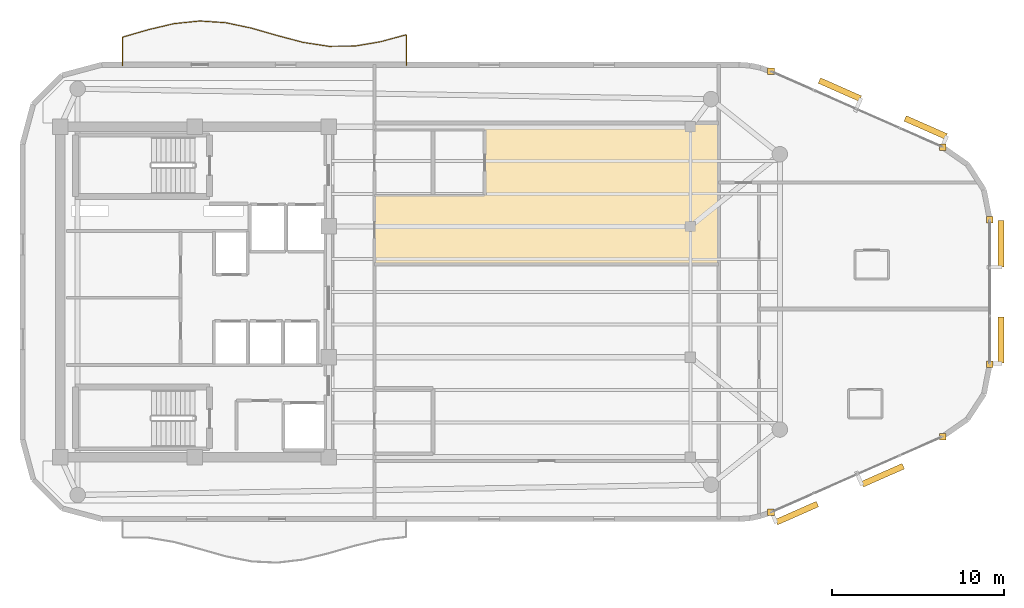
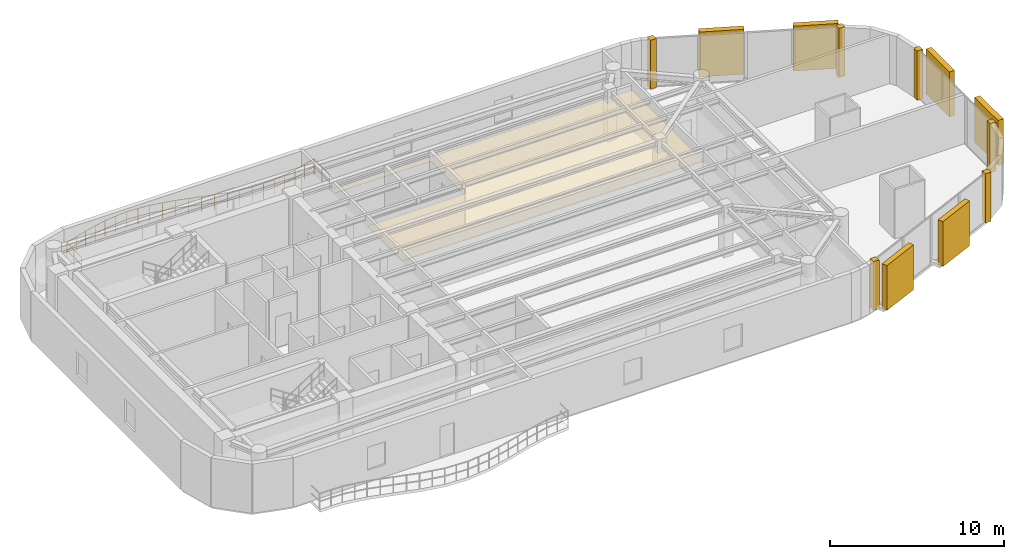
# One storey, part 12 of 12: 7 coverings, 6 shading devices, 1 railing.
"""IFC4 building model written with IfcOpenShell, lengths in metres."""

import ifcopenshell
import ifcopenshell.guid

model = None  # the IFC model being written
_history = None  # IfcOwnerHistory: only IFC2X3 demands one
_inside = {}  # id of a spatial element -> (the spatial element, [elements in it])
_under = {}  # id of a project, library or spatial element -> (it, [spatial elements below it])
_declared = {}  # id of a project -> (the project, [libraries it declares])
_typed = {}  # id of a type object -> (the type object, [elements of that type])
_made_of = {}  # id of a material, layer set ... -> (it, [elements and type objects made of it])


def new_model(schema):
    """Start an empty IFC model of exactly this schema.

    Asked for "IFC4X3", IfcOpenShell would pick the latest addendum, in which some entities
    have other attributes; the version numbers below select the first issue.
    IFC2X3 requires an IfcOwnerHistory on every rooted entity: one is made here for all.
    """
    global model, _history
    if schema == "IFC4X3":
        model = ifcopenshell.file(schema_version=(4, 3, 0, 0))
    else:
        model = ifcopenshell.file(schema=schema)
    _inside.clear()
    _under.clear()
    _declared.clear()
    _typed.clear()
    _made_of.clear()
    _history = None
    if model.schema == "IFC2X3":
        org = make("IfcOrganization", Name="unknown")
        user = make(
            "IfcPersonAndOrganization",
            ThePerson=make("IfcPerson", FamilyName="unknown"),
            TheOrganization=org,
        )
        app = make(
            "IfcApplication",
            ApplicationDeveloper=org,
            Version="unknown",
            ApplicationFullName="unknown",
            ApplicationIdentifier="unknown",
        )
        _history = make(
            "IfcOwnerHistory",
            OwningUser=user,
            OwningApplication=app,
            ChangeAction="ADDED",
            CreationDate=0,
        )
    return model


def make(cls, **values):
    """One entity of the class cls with the attributes given. An attribute that is None is left unset."""
    return model.create_entity(
        cls, **{name: value for name, value in values.items() if value is not None}
    )


def rooted(cls, **values):
    """An entity with a GlobalId (a new one), such as an element, a storey or a relation."""
    return make(cls, GlobalId=ifcopenshell.guid.new(), OwnerHistory=_history, **values)


def si_unit(unit_type, name, prefix=None):
    """IfcSIUnit, for example si_unit("LENGTHUNIT", "METRE", prefix="MILLI")."""
    return make("IfcSIUnit", UnitType=unit_type, Prefix=prefix, Name=name)


def assignment(units):
    """IfcUnitAssignment: the units of a project."""
    return None if units is None else make("IfcUnitAssignment", Units=units)


def point(xyz):
    """IfcCartesianPoint."""
    return None if xyz is None else make("IfcCartesianPoint", Coordinates=xyz)


def direction(xyz):
    """IfcDirection."""
    return None if xyz is None else make("IfcDirection", DirectionRatios=xyz)


def frame(location, z_axis=None, x_axis=None):
    """IfcAxis2Placement3D, a coordinate frame: its origin and axes. An axis left out is left unset."""
    return make(
        "IfcAxis2Placement3D",
        Location=point(location),
        Axis=direction(z_axis),
        RefDirection=direction(x_axis),
    )


def frame_2d(location, x_axis=None):
    """IfcAxis2Placement2D, a coordinate frame in the plane: its origin and x axis."""
    return make(
        "IfcAxis2Placement2D", Location=point(location), RefDirection=direction(x_axis)
    )


def origin():
    """The frame at (0, 0, 0) with its axes left unset."""
    return frame((0.0, 0.0, 0.0))


def origin_2d():
    """The frame at (0, 0) in the plane with its x axis left unset."""
    return frame_2d((0.0, 0.0))


def place(relative_to, where):
    """IfcLocalPlacement: puts the frame where relative to a parent placement (None: the world)."""
    return make(
        "IfcLocalPlacement", PlacementRelTo=relative_to, RelativePlacement=where
    )


def context(
    kind, dimensions, precision=None, world=None, true_north=None, identifier=None
):
    """IfcGeometricRepresentationContext, for example the 3D "Model" context."""
    return make(
        "IfcGeometricRepresentationContext",
        ContextIdentifier=identifier,
        ContextType=kind,
        CoordinateSpaceDimension=dimensions,
        Precision=precision,
        WorldCoordinateSystem=world,
        TrueNorth=true_north,
    )


def subcontext(parent, identifier, kind, view, scale=None):
    """IfcGeometricRepresentationSubContext, for example "Body" below "Model"."""
    return make(
        "IfcGeometricRepresentationSubContext",
        ContextIdentifier=identifier,
        ContextType=kind,
        ParentContext=parent,
        TargetScale=scale,
        TargetView=view,
    )


def project(units=None, contexts=None):
    """IfcProject with its units and contexts."""
    return rooted(
        "IfcProject",
        Name="project",
        RepresentationContexts=contexts,
        UnitsInContext=assignment(units),
    )


def spatial(cls, under=None, at=None, **own):
    """A site, building, storey or space (cls), placed at a placement, below another one or the project."""
    s = rooted(cls, ObjectPlacement=at, **own)
    if under is not None:
        _under.setdefault(under.id(), (under, []))[1].append(s)
    return s


def polyline(points):
    """IfcPolyline through the points."""
    return make("IfcPolyline", Points=[point(p) for p in points])


def profile(cls, at=None, kind="AREA", **sizes):
    """A parametric profile (cls). Its sizes go by their IFC names, for example OverallWidth=200.0."""
    return make(cls, ProfileType=kind, Position=at, **sizes)


def rectangle(**sizes):
    """IfcRectangleProfileDef."""
    return profile("IfcRectangleProfileDef", **sizes)


def circle(**sizes):
    """IfcCircleProfileDef."""
    return profile("IfcCircleProfileDef", **sizes)


def outline(outer, holes=None, kind="AREA"):
    """IfcArbitraryClosedProfileDef: a profile drawn as a closed curve; with holes, ...WithVoids."""
    if holes is None:
        return make("IfcArbitraryClosedProfileDef", ProfileType=kind, OuterCurve=outer)
    return make(
        "IfcArbitraryProfileDefWithVoids",
        ProfileType=kind,
        OuterCurve=outer,
        InnerCurves=holes,
    )


def extrude(swept, where, along, depth):
    """IfcExtrudedAreaSolid: the profile swept, set in the frame where, extruded along a direction by depth."""
    return make(
        "IfcExtrudedAreaSolid",
        SweptArea=swept,
        Position=where,
        ExtrudedDirection=direction(along),
        Depth=depth,
    )


def shape(context_of_items, identifier, shape_type, items):
    """IfcShapeRepresentation: the items that make up one representation, for example the "Body"."""
    return make(
        "IfcShapeRepresentation",
        ContextOfItems=context_of_items,
        RepresentationIdentifier=identifier,
        RepresentationType=shape_type,
        Items=items,
    )


def material(Name=None, Category=None):
    """IfcMaterial."""
    return make("IfcMaterial", Name=Name, Category=Category)


def layer(
    of_material, thickness, ventilated=None, Name=None, Category=None, Priority=None
):
    """IfcMaterialLayer: one layer of a wall or slab, of a material (None: an air gap)."""
    return make(
        "IfcMaterialLayer",
        Material=of_material,
        LayerThickness=thickness,
        IsVentilated=ventilated,
        Name=Name,
        Category=Category,
        Priority=Priority,
    )


def layer_set(layers, Name=None):
    """IfcMaterialLayerSet."""
    return make("IfcMaterialLayerSet", MaterialLayers=layers, LayerSetName=Name)


def made_of(thing, what):
    """Note that an element or type object is made of a material, layer set ...; save() writes the relation."""
    if what is not None:
        _made_of.setdefault(what.id(), (what, []))[1].append(thing)
    return thing


def type_object(cls, material=None, **own):
    """A type object (cls), such as IfcWallType, which elements share."""
    return made_of(rooted(cls, **own), material)


def element(
    cls,
    number,
    at=None,
    inside=None,
    cuts=None,
    type_object=None,
    material=None,
    context=None,
    identifier="Body",
    shape_type=None,
    held_by="IfcProductDefinitionShape",
    body=None,
    shapes=None,
    **own,
):
    """One element of the class cls, such as IfcWall. Its Tag is "e" and its number.

    at: its placement. inside: the storey or other place that contains it. cuts: it is an
    opening in that element (IfcRelVoidsElement). A single representation is given by context,
    identifier, shape_type and body (its items); several are given by shapes. held_by: the class
    of the entity that holds the representations. save() writes the other relations.
    """
    e = rooted(cls, Tag="e%d" % number, ObjectPlacement=at, **own)
    if body is not None:
        shapes = [shape(context, identifier, shape_type, body)]
    if shapes is not None:
        e.Representation = make(held_by, Representations=shapes)
    if inside is not None:
        _inside.setdefault(inside.id(), (inside, []))[1].append(e)
    if cuts is not None:
        rooted(
            "IfcRelVoidsElement", RelatingBuildingElement=cuts, RelatedOpeningElement=e
        )
    if type_object is not None:
        _typed.setdefault(type_object.id(), (type_object, []))[1].append(e)
    return made_of(e, material)


def aggregate(whole, parts):
    """IfcRelAggregates: a whole, such as a stair, and the parts it consists of."""
    return rooted("IfcRelAggregates", RelatingObject=whole, RelatedObjects=parts)


def save(model, path):
    """Write the relations noted so far, then the file.

    IfcRelAggregates (storeys below a building ...), IfcRelContainedInSpatialStructure (elements
    in a storey), IfcRelDefinesByType, IfcRelAssociatesMaterial and IfcRelDeclares: one each for
    every whole, place, type object, material and project.
    """
    for whole, parts in _under.values():
        aggregate(whole, parts)
    for where, things in _inside.values():
        rooted(
            "IfcRelContainedInSpatialStructure",
            RelatedElements=things,
            RelatingStructure=where,
        )
    for kind, things in _typed.values():
        rooted("IfcRelDefinesByType", RelatedObjects=things, RelatingType=kind)
    for what, things in _made_of.values():
        rooted("IfcRelAssociatesMaterial", RelatedObjects=things, RelatingMaterial=what)
    for by, libraries in _declared.values():
        rooted("IfcRelDeclares", RelatingContext=by, RelatedDefinitions=libraries)
    model.write(path)


model = new_model("IFC4")

# Units and contexts
model_context = context("Model", 3, precision=1e-05, world=origin(), true_north=direction((0.0, 1.0)))
body_context = subcontext(model_context, "Body", "Model", "MODEL_VIEW")
ifc_project = project(units=[si_unit("LENGTHUNIT", "METRE"), si_unit("AREAUNIT", "SQUARE_METRE"), si_unit("VOLUMEUNIT", "CUBIC_METRE"), si_unit("PLANEANGLEUNIT", "RADIAN"), si_unit("MASSUNIT", "GRAM", prefix="KILO")], contexts=[model_context])

# Site, building, storey
site_placement = place(None, origin())
site = spatial("IfcSite", under=ifc_project, at=site_placement, CompositionType="ELEMENT")
building_placement = place(site_placement, origin())
building = spatial("IfcBuilding", under=site, at=building_placement, Name="An Khanh Terracotta Commons", CompositionType="ELEMENT")
storey_placement = place(building_placement, frame((0.0, 0.0, 258.800048828125)))
storey = spatial("IfcBuildingStorey", under=building, at=storey_placement, Name="L67", CompositionType="ELEMENT", Elevation=258.800048828125)

# Coverings
ifc_material_1 = material(Name="Perforated Mineral-Fibre Acoustic Tile")
ifc_layer_1 = layer(ifc_material_1, 0.02001953125, Name="Perforated Mineral-Fibre Acoustic Tile")
ifc_layer_set_1 = layer_set([ifc_layer_1], Name="Perforated Mineral-Fibre Acoustic Tile")
covering_type_1 = type_object("IfcCoveringType", Name="CEIL-ACOUSTIC-18", PredefinedType="CEILING", material=ifc_layer_set_1)
covering_placement = place(storey_placement, frame((0.0, 0.0, 2.64990234375)))
element("IfcCovering", 1, at=covering_placement, inside=storey, type_object=covering_type_1, Name="L67 Academic Seminar Room Ceiling", PredefinedType="CEILING", context=body_context, shape_type="SweptSolid", body=[
    extrude(outline(polyline([(59.85009765625, 25.60009765625), (39.85009765625, 25.60009765625), (39.85009765625, 29.60009765625), (43.25, 29.60009765625), (46.25, 29.60009765625), (46.25, 33.39990234375), (43.25, 33.39990234375), (39.85009765625, 33.39990234375), (39.85009765625, 33.820068359375), (59.85009765625, 33.820068359375), (59.85009765625, 30.35009765625), (59.85009765625, 25.60009765625)])), origin(), (0.0, 0.0, 1.0), 0.02001953125),
])
ifc_material_2 = material(Name="Fired Terracotta Rainscreen Cladding", Category="masonry")
ifc_layer_2 = layer(ifc_material_2, 0.080078125, Name="Fired Terracotta Rainscreen Cladding")
ifc_layer_set_2 = layer_set([ifc_layer_2], Name="Fired Terracotta Rainscreen Cladding")
covering_type_2 = type_object("IfcCoveringType", Name="COV-JAMB-TERRA", PredefinedType="CLADDING", material=ifc_layer_set_2)
for number, where, z_axis, x_axis, name in (
    (2, (62.886962890625, 11.19091796875, 0.0), (0.0, 0.0, 1.0), (1.0, 0.0, 0.0), "L67 CW-03 Curtain-Wall Jamb Closure JA"),
    (3, (72.85693359375, 15.590087890625, 0.0), (0.0, 0.0, 1.0), (1.0, 0.0, 0.0), "L67 CW-03 Curtain-Wall Jamb Closure JB"),
    (4, (75.60009765625, 19.798095703125, 0.0), (0.0, 0.0, 1.0), (1.0, 0.0, 0.0), "L67 CW-03 Curtain-Wall Jamb Closure JA"),
    (5, (75.60009765625, 28.201904296875, 0.0), (0.0, 0.0, 1.0), (1.0, 0.0, 0.0), "L67 CW-03 Curtain-Wall Jamb Closure JB"),
    (6, (72.85693359375, 32.409912109375, 0.0), (0.0, 0.0, 1.0), (1.0, 0.0, 0.0), "L67 CW-03 Curtain-Wall Jamb Closure JA"),
    (7, (62.886962890625, 36.80908203125, 0.0), (0.0, 0.0, 1.0), (1.0, 0.0, 0.0), "L67 CW-03 Curtain-Wall Jamb Closure JB"),
):
    element("IfcCovering", number, at=place(storey_placement, frame(where, z_axis=z_axis, x_axis=x_axis)), inside=storey, type_object=covering_type_2, Name=name, PredefinedType="CLADDING", context=body_context, shape_type="SweptSolid", body=[
        extrude(rectangle(XDim=0.3798828125, YDim=0.3798828125, at=origin_2d()), origin(), (0.0, 0.0, 1.0), 3.449951171875),
    ])

# Railing
ifc_material_3 = material(Name="Brushed Stainless Steel 316", Category="steel")
railing_type = type_object("IfcRailingType", Name="RAIL-BALUSTRADE-1100", PredefinedType="BALUSTRADE", material=ifc_material_3)
railing_placement = place(storey_placement, frame((41.699951171875, 37.139892578125, 0.0)))
element("IfcRailing", 8, at=railing_placement, inside=storey, type_object=railing_type, Name="L67 N Wave Balcony Guard Balustrade", PredefinedType="BALUSTRADE", context=body_context, shape_type="SweptSolid", body=[
    extrude(circle(Radius=0.02392578125, at=origin_2d()), frame((0.0, 0.0, 1.076171875), z_axis=(0.0, 1.0, 0.0), x_axis=(-1.0, 0.0, 0.0)), (0.0, 0.0, 1.0), 1.801025390625),
    extrude(circle(Radius=0.02392578125, at=origin_2d()), frame((0.0, 0.0, 0.52587890625), z_axis=(0.0, 1.0, 0.0), x_axis=(-1.0, 0.0, 0.0)), (0.0, 0.0, 1.0), 1.801025390625),
    extrude(circle(Radius=0.02392578125, at=origin_2d()), frame((0.0, 1.801025390625, 1.076171875), z_axis=(-0.964948425307, -0.262439586375, 0.0), x_axis=(0.262439586375, -0.964948425307, 0.0)), (0.0, 0.0, 1.0), 1.554443359375),
    extrude(circle(Radius=0.02392578125, at=origin_2d()), frame((0.0, 1.801025390625, 0.52587890625), z_axis=(-0.964948425307, -0.262439586375, 0.0), x_axis=(0.262439586375, -0.964948425307, 0.0)), (0.0, 0.0, 1.0), 1.554443359375),
    extrude(circle(Radius=0.02392578125, at=origin_2d()), frame((-1.5, 1.39306640625, 1.076171875), z_axis=(-0.986079829755, -0.16627257546, 0.0), x_axis=(0.16627257546, -0.986079829755, 0.0)), (0.0, 0.0, 1.0), 1.521240234375),
    extrude(circle(Radius=0.02392578125, at=origin_2d()), frame((-1.5, 1.39306640625, 0.52587890625), z_axis=(-0.986079829755, -0.16627257546, 0.0), x_axis=(0.16627257546, -0.986079829755, 0.0)), (0.0, 0.0, 1.0), 1.521240234375),
    extrude(circle(Radius=0.02392578125, at=origin_2d()), frame((-3.0, 1.14013671875, 1.076171875), z_axis=(-0.999956968224, -0.009276944529, 0.0), x_axis=(0.009276944529, -0.999956968224, 0.0)), (0.0, 0.0, 1.0), 1.5),
    extrude(circle(Radius=0.02392578125, at=origin_2d()), frame((-3.0, 1.14013671875, 0.52587890625), z_axis=(-0.999956968224, -0.009276944529, 0.0), x_axis=(0.009276944529, -0.999956968224, 0.0)), (0.0, 0.0, 1.0), 1.5),
    extrude(circle(Radius=0.02392578125, at=origin_2d()), frame((-4.5, 1.126220703125, 1.076171875), z_axis=(-0.988545890906, 0.15092058035, 0.0), x_axis=(-0.15092058035, -0.988545890906, 0.0)), (0.0, 0.0, 1.0), 1.517333984375),
    extrude(circle(Radius=0.02392578125, at=origin_2d()), frame((-4.5, 1.126220703125, 0.52587890625), z_axis=(-0.988545890906, 0.15092058035, 0.0), x_axis=(-0.15092058035, -0.988545890906, 0.0)), (0.0, 0.0, 1.0), 1.517333984375),
    extrude(circle(Radius=0.02392578125, at=origin_2d()), frame((-6.0, 1.355224609375, 1.076171875), z_axis=(-0.966718963822, 0.255840663277, 0.0), x_axis=(-0.255840663277, -0.966718963822, 0.0)), (0.0, 0.0, 1.0), 1.5517578125),
    extrude(circle(Radius=0.02392578125, at=origin_2d()), frame((-6.0, 1.355224609375, 0.52587890625), z_axis=(-0.966718963822, 0.255840663277, 0.0), x_axis=(-0.255840663277, -0.966718963822, 0.0)), (0.0, 0.0, 1.0), 1.5517578125),
    extrude(circle(Radius=0.02392578125, at=origin_2d()), frame((-7.5, 1.752197265625, 1.076171875), z_axis=(-0.961293347262, 0.275526950607, 0.0), x_axis=(-0.275526950607, -0.961293347262, 0.0)), (0.0, 0.0, 1.0), 1.560302734375),
    extrude(circle(Radius=0.02392578125, at=origin_2d()), frame((-7.5, 1.752197265625, 0.52587890625), z_axis=(-0.961293347262, 0.275526950607, 0.0), x_axis=(-0.275526950607, -0.961293347262, 0.0)), (0.0, 0.0, 1.0), 1.560302734375),
    extrude(circle(Radius=0.02392578125, at=origin_2d()), frame((-9.0, 2.18212890625, 1.076171875), z_axis=(-0.978275241205, 0.207310280607, 0.0), x_axis=(-0.207310280607, -0.978275241205, 0.0)), (0.0, 0.0, 1.0), 1.533203125),
    extrude(circle(Radius=0.02392578125, at=origin_2d()), frame((-9.0, 2.18212890625, 0.52587890625), z_axis=(-0.978275241205, 0.207310280607, 0.0), x_axis=(-0.207310280607, -0.978275241205, 0.0)), (0.0, 0.0, 1.0), 1.533203125),
    extrude(circle(Radius=0.02392578125, at=origin_2d()), frame((-10.5, 2.5, 1.076171875), z_axis=(-0.997866326321, 0.065290081898, 0.0), x_axis=(-0.065290081898, -0.997866326321, 0.0)), (0.0, 0.0, 1.0), 1.503173828125),
    extrude(circle(Radius=0.02392578125, at=origin_2d()), frame((-10.5, 2.5, 0.52587890625), z_axis=(-0.997866326321, 0.065290081898, 0.0), x_axis=(-0.065290081898, -0.997866326321, 0.0)), (0.0, 0.0, 1.0), 1.503173828125),
    extrude(circle(Radius=0.02392578125, at=origin_2d()), frame((-12.0, 2.59814453125, 1.076171875), z_axis=(-0.994833141332, -0.101523499286, 0.0), x_axis=(0.101523499286, -0.994833141332, 0.0)), (0.0, 0.0, 1.0), 1.5078125),
    extrude(circle(Radius=0.02392578125, at=origin_2d()), frame((-12.0, 2.59814453125, 0.52587890625), z_axis=(-0.994833141332, -0.101523499286, 0.0), x_axis=(0.101523499286, -0.994833141332, 0.0)), (0.0, 0.0, 1.0), 1.5078125),
    extrude(circle(Radius=0.02392578125, at=origin_2d()), frame((-13.5, 2.445068359375, 1.076171875), z_axis=(-0.973263214687, -0.229692653206, 0.0), x_axis=(0.229692653206, -0.973263214687, 0.0)), (0.0, 0.0, 1.0), 1.541259765625),
    extrude(circle(Radius=0.02392578125, at=origin_2d()), frame((-13.5, 2.445068359375, 0.52587890625), z_axis=(-0.973263214687, -0.229692653206, 0.0), x_axis=(0.229692653206, -0.973263214687, 0.0)), (0.0, 0.0, 1.0), 1.541259765625),
    extrude(circle(Radius=0.02392578125, at=origin_2d()), frame((-15.0, 2.091064453125, 1.076171875), z_axis=(-0.960419102414, -0.278559056071, 0.0), x_axis=(0.278559056071, -0.960419102414, 0.0)), (0.0, 0.0, 1.0), 1.561767578125),
    extrude(circle(Radius=0.02392578125, at=origin_2d()), frame((-15.0, 2.091064453125, 0.52587890625), z_axis=(-0.960419102414, -0.278559056071, 0.0), x_axis=(0.278559056071, -0.960419102414, 0.0)), (0.0, 0.0, 1.0), 1.561767578125),
    extrude(circle(Radius=0.02392578125, at=origin_2d()), frame((-16.5, 1.656005859375, 1.076171875), z_axis=(0.0, -1.0, 0.0), x_axis=(1.0, 0.0, 0.0)), (0.0, 0.0, 1.0), 1.656005859375),
    extrude(circle(Radius=0.02392578125, at=origin_2d()), frame((-16.5, 1.656005859375, 0.52587890625), z_axis=(0.0, -1.0, 0.0), x_axis=(1.0, 0.0, 0.0)), (0.0, 0.0, 1.0), 1.656005859375),
    extrude(circle(Radius=0.02099609375, at=origin_2d()), origin(), (0.0, 0.0, 1.0), 1.052001953125),
    extrude(circle(Radius=0.02099609375, at=origin_2d()), frame((0.0, 0.900390625, 0.0)), (0.0, 0.0, 1.0), 1.052001953125),
    extrude(circle(Radius=0.02099609375, at=origin_2d()), frame((0.0, 1.801025390625, 0.0)), (0.0, 0.0, 1.0), 1.052001953125),
    extrude(circle(Radius=0.02099609375, at=origin_2d()), frame((-0.75, 1.59716796875, 0.0)), (0.0, 0.0, 1.0), 1.052001953125),
    extrude(circle(Radius=0.02099609375, at=origin_2d()), frame((-1.5, 1.39306640625, 0.0)), (0.0, 0.0, 1.0), 1.052001953125),
    extrude(circle(Radius=0.02099609375, at=origin_2d()), frame((-2.25, 1.2666015625, 0.0)), (0.0, 0.0, 1.0), 1.052001953125),
    extrude(circle(Radius=0.02099609375, at=origin_2d()), frame((-3.0, 1.14013671875, 0.0)), (0.0, 0.0, 1.0), 1.052001953125),
    extrude(circle(Radius=0.02099609375, at=origin_2d()), frame((-3.75, 1.13330078125, 0.0)), (0.0, 0.0, 1.0), 1.052001953125),
    extrude(circle(Radius=0.02099609375, at=origin_2d()), frame((-4.5, 1.126220703125, 0.0)), (0.0, 0.0, 1.0), 1.052001953125),
    extrude(circle(Radius=0.02099609375, at=origin_2d()), frame((-5.25, 1.24072265625, 0.0)), (0.0, 0.0, 1.0), 1.052001953125),
    extrude(circle(Radius=0.02099609375, at=origin_2d()), frame((-6.0, 1.355224609375, 0.0)), (0.0, 0.0, 1.0), 1.052001953125),
    extrude(circle(Radius=0.02099609375, at=origin_2d()), frame((-6.75, 1.5537109375, 0.0)), (0.0, 0.0, 1.0), 1.052001953125),
    extrude(circle(Radius=0.02099609375, at=origin_2d()), frame((-7.5, 1.752197265625, 0.0)), (0.0, 0.0, 1.0), 1.052001953125),
    extrude(circle(Radius=0.02099609375, at=origin_2d()), frame((-8.25, 1.96728515625, 0.0)), (0.0, 0.0, 1.0), 1.052001953125),
    extrude(circle(Radius=0.02099609375, at=origin_2d()), frame((-9.0, 2.18212890625, 0.0)), (0.0, 0.0, 1.0), 1.052001953125),
    extrude(circle(Radius=0.02099609375, at=origin_2d()), frame((-9.75, 2.341064453125, 0.0)), (0.0, 0.0, 1.0), 1.052001953125),
    extrude(circle(Radius=0.02099609375, at=origin_2d()), frame((-10.5, 2.5, 0.0)), (0.0, 0.0, 1.0), 1.052001953125),
    extrude(circle(Radius=0.02099609375, at=origin_2d()), frame((-11.25, 2.549072265625, 0.0)), (0.0, 0.0, 1.0), 1.052001953125),
    extrude(circle(Radius=0.02099609375, at=origin_2d()), frame((-12.0, 2.59814453125, 0.0)), (0.0, 0.0, 1.0), 1.052001953125),
    extrude(circle(Radius=0.02099609375, at=origin_2d()), frame((-12.75, 2.521484375, 0.0)), (0.0, 0.0, 1.0), 1.052001953125),
    extrude(circle(Radius=0.02099609375, at=origin_2d()), frame((-13.5, 2.445068359375, 0.0)), (0.0, 0.0, 1.0), 1.052001953125),
    extrude(circle(Radius=0.02099609375, at=origin_2d()), frame((-14.25, 2.26806640625, 0.0)), (0.0, 0.0, 1.0), 1.052001953125),
    extrude(circle(Radius=0.02099609375, at=origin_2d()), frame((-15.0, 2.091064453125, 0.0)), (0.0, 0.0, 1.0), 1.052001953125),
    extrude(circle(Radius=0.02099609375, at=origin_2d()), frame((-15.75, 1.87353515625, 0.0)), (0.0, 0.0, 1.0), 1.052001953125),
    extrude(circle(Radius=0.02099609375, at=origin_2d()), frame((-16.5, 1.656005859375, 0.0)), (0.0, 0.0, 1.0), 1.052001953125),
    extrude(circle(Radius=0.02099609375, at=origin_2d()), frame((-16.5, 0.828125, 0.0)), (0.0, 0.0, 1.0), 1.052001953125),
    extrude(circle(Radius=0.02099609375, at=origin_2d()), frame((-16.5, 0.0, 0.0)), (0.0, 0.0, 1.0), 1.052001953125),
])

# Shading devices
ifc_material_4 = material(Name="Extruded Fired Terracotta", Category="masonry")
shading_device_type = type_object("IfcShadingDeviceType", Name="Terracotta Baguette Screen Assembly", PredefinedType="USERDEFINED", material=ifc_material_4)
for number, where, z_axis, x_axis, name in (
    (9, (64.39599609375, 11.14599609375, 0.14990234375), (0.0, 0.0, 1.0), (0.914901853201, 0.403676354285, 0.0), "L67 Terracotta Baguette Screen 1"),
    (10, (69.381103515625, 13.345947265625, 0.14990234375), (0.0, 0.0, 1.0), (0.914901853201, 0.403676354285, 0.0), "L67 Terracotta Baguette Screen 3"),
):
    element("IfcShadingDevice", number, at=place(storey_placement, frame(where, z_axis=z_axis, x_axis=x_axis)), inside=storey, type_object=shading_device_type, Name=name, ObjectType="BAGUETTE", PredefinedType="USERDEFINED", context=body_context, shape_type="SweptSolid", body=[
        extrude(rectangle(XDim=2.60400390625, YDim=0.35009765625, at=origin_2d()), origin(), (0.0, 0.0, 1.0), 3.14990234375),
    ])
for number, where, z_axis, x_axis, name in (
    (11, (76.25, 21.198974609375, 0.14990234375), (0.0, 0.0, 1.0), (0.0, 1.0, 0.0), "L67 Terracotta Baguette Screen 1"),
    (12, (76.25, 26.801025390625, 0.14990234375), (0.0, 0.0, 1.0), (0.0, 1.0, 0.0), "L67 Terracotta Baguette Screen 3"),
):
    element("IfcShadingDevice", number, at=place(storey_placement, frame(where, z_axis=z_axis, x_axis=x_axis)), inside=storey, type_object=shading_device_type, Name=name, ObjectType="BAGUETTE", PredefinedType="USERDEFINED", context=body_context, shape_type="SweptSolid", body=[
        extrude(rectangle(XDim=2.680908203125, YDim=0.35009765625, at=origin_2d()), origin(), (0.0, 0.0, 1.0), 3.14990234375),
    ])
for number, where, z_axis, x_axis, name in (
    (13, (71.873046875, 33.554931640625, 0.14990234375), (0.0, 0.0, 1.0), (-0.914901853201, 0.403676354285, 0.0), "L67 Terracotta Baguette Screen 1"),
    (14, (66.887939453125, 35.75390625, 0.14990234375), (0.0, 0.0, 1.0), (-0.914901853201, 0.403676354285, 0.0), "L67 Terracotta Baguette Screen 3"),
):
    element("IfcShadingDevice", number, at=place(storey_placement, frame(where, z_axis=z_axis, x_axis=x_axis)), inside=storey, type_object=shading_device_type, Name=name, ObjectType="BAGUETTE", PredefinedType="USERDEFINED", context=body_context, shape_type="SweptSolid", body=[
        extrude(rectangle(XDim=2.60400390625, YDim=0.35009765625, at=origin_2d()), origin(), (0.0, 0.0, 1.0), 3.14990234375),
    ])

save(model, "model.ifc")
